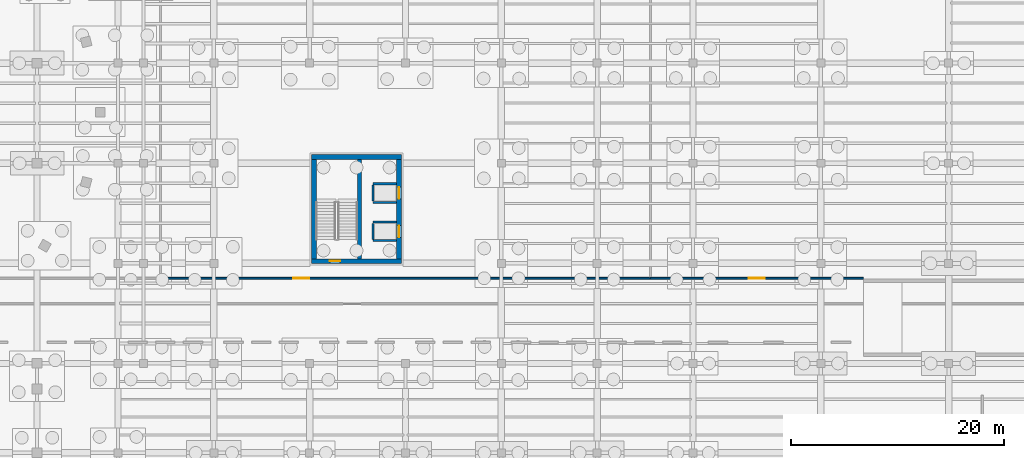
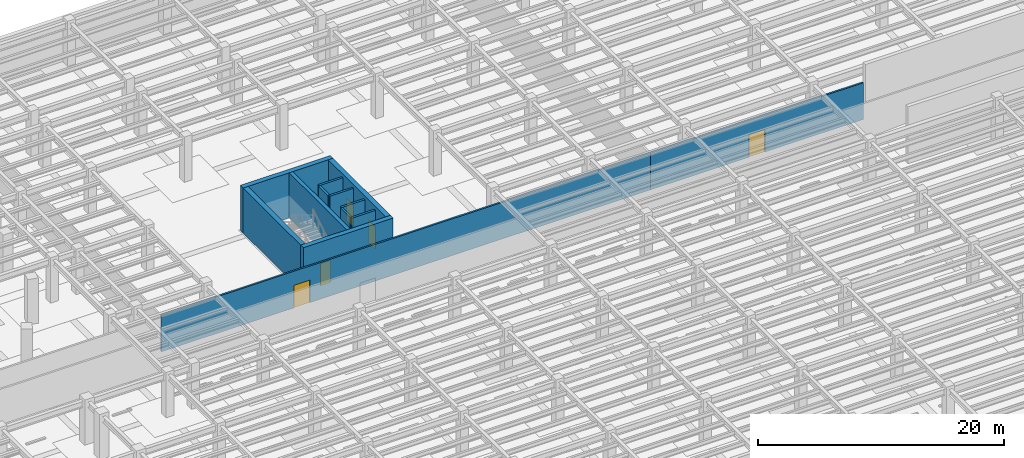
# One storey, part 38 of 49: 13 walls, 5 doors, 5 openings.
"""IFC4 building model written with IfcOpenShell, lengths in metres."""

from ifc_helpers import new_model, si_unit, direction, frame, frame_2d, origin, place, context, subcontext, project, spatial, rectangle, extrude, material, layer, layer_set, type_object, element, fill, save


model = new_model("IFC4")

# Units and contexts
model_context = context("Model", 3, precision=1e-05, world=origin(), true_north=direction((0.0, 1.0)))
body_context = subcontext(model_context, "Body", "Model", "MODEL_VIEW")
ifc_project = project(units=[si_unit("LENGTHUNIT", "METRE"), si_unit("AREAUNIT", "SQUARE_METRE"), si_unit("VOLUMEUNIT", "CUBIC_METRE"), si_unit("PLANEANGLEUNIT", "RADIAN"), si_unit("MASSUNIT", "GRAM", prefix="KILO")], contexts=[model_context])

# Site, building, storey
site_placement = place(None, origin())
site = spatial("IfcSite", under=ifc_project, at=site_placement, CompositionType="ELEMENT")
building_placement = place(site_placement, origin())
building = spatial("IfcBuilding", under=site, at=building_placement, Name="Sollismere Congress Hotel", CompositionType="ELEMENT")
storey_placement = place(building_placement, frame((0.0, 0.0, -4.5)))
storey = spatial("IfcBuildingStorey", under=building, at=storey_placement, Name="B1", CompositionType="ELEMENT", Elevation=-4.5)

# Walls
ifc_material_1 = material(Name="Moisture-Resistant Shaft Gypsum Assembly")
ifc_layer_1 = layer(ifc_material_1, 0.199951171875, Name="Moisture-Resistant Shaft Gypsum Assembly")
ifc_layer_set_1 = layer_set([ifc_layer_1], Name="Moisture-Resistant Shaft Gypsum Assembly")
wall_type_1 = type_object("IfcWallType", Name="WL-PLM200", PredefinedType="PLUMBINGWALL", material=ifc_layer_set_1)
for number, where, z_axis, x_axis, name in (
    (1, (81.955078125, 78.330078125, 0.0), (0.0, 0.0, 1.0), (1.0, 0.0, 0.0), "Interior wall IW-B1-0565"),
    (2, (81.955078125, 80.070068359375, 0.0), (0.0, 0.0, 1.0), (1.0, 0.0, 0.0), "Interior wall IW-B1-0566"),
):
    element("IfcWall", number, at=place(storey_placement, frame(where, z_axis=z_axis, x_axis=x_axis)), inside=storey, type_object=wall_type_1, Name=name, PredefinedType="PLUMBINGWALL", context=body_context, shape_type="SweptSolid", body=[
        extrude(rectangle(XDim=2.2080078125, YDim=0.199951171875, at=frame_2d((1.10400390625, 0.0))), origin(), (0.0, 0.0, 1.0), 4.175048828125),
    ])
wall_1_placement = place(storey_placement, frame((81.955078125, 78.44189453125, 0.0), z_axis=(0.0, 0.0, 1.0), x_axis=(0.0, 1.0, 0.0)))
element("IfcWall", 3, at=wall_1_placement, inside=storey, type_object=wall_type_1, Name="Interior wall IW-B1-0567", PredefinedType="PLUMBINGWALL", context=body_context, shape_type="SweptSolid", body=[
    extrude(rectangle(XDim=1.51611328125, YDim=0.199951171875, at=frame_2d((0.758056640625, 0.0))), origin(), (0.0, 0.0, 1.0), 4.175048828125),
])
for number, where, z_axis, x_axis, name in (
    (4, (81.955078125, 81.929931640625, 0.0), (0.0, 0.0, 1.0), (1.0, 0.0, 0.0), "Interior wall IW-B1-0568"),
    (5, (81.955078125, 83.669921875, 0.0), (0.0, 0.0, 1.0), (1.0, 0.0, 0.0), "Interior wall IW-B1-0569"),
):
    element("IfcWall", number, at=place(storey_placement, frame(where, z_axis=z_axis, x_axis=x_axis)), inside=storey, type_object=wall_type_1, Name=name, PredefinedType="PLUMBINGWALL", context=body_context, shape_type="SweptSolid", body=[
        extrude(rectangle(XDim=2.2080078125, YDim=0.199951171875, at=frame_2d((1.10400390625, 0.0))), origin(), (0.0, 0.0, 1.0), 4.175048828125),
    ])
wall_2_placement = place(storey_placement, frame((81.955078125, 82.0419921875, 0.0), z_axis=(0.0, 0.0, 1.0), x_axis=(0.0, 1.0, 0.0)))
element("IfcWall", 6, at=wall_2_placement, inside=storey, type_object=wall_type_1, Name="Interior wall IW-B1-0570", PredefinedType="PLUMBINGWALL", context=body_context, shape_type="SweptSolid", body=[
    extrude(rectangle(XDim=1.51611328125, YDim=0.199951171875, at=frame_2d((0.758056640625, 0.0))), origin(), (0.0, 0.0, 1.0), 4.175048828125),
])

# Wall, opening, door
ifc_material_2 = material(Name="Fire-Rated Acoustic Gypsum Partition")
ifc_layer_2 = layer(ifc_material_2, 0.1650390625, Name="Fire-Rated Acoustic Gypsum Partition")
ifc_layer_set_2 = layer_set([ifc_layer_2], Name="Fire-Rated Acoustic Gypsum Partition")
wall_type_2 = type_object("IfcWallType", Name="WL-PRT165R", PredefinedType="PARTITIONING", material=ifc_layer_set_2)
wall_3_placement = place(storey_placement, frame((62.0, 74.800048828125, 0.0), z_axis=(0.0, 0.0, 1.0), x_axis=(1.0, 0.0, 0.0)))
wall_3 = element("IfcWall", 7, at=wall_3_placement, inside=storey, type_object=wall_type_2, Name="Interior wall IW-B1-0762", PredefinedType="PARTITIONING", context=body_context, shape_type="SweptSolid", body=[
    extrude(rectangle(XDim=46.0, YDim=0.1650390625, at=frame_2d((23.0, 0.0))), origin(), (0.0, 0.0, 1.0), 3.64892578125),
])
opening_1_placement = place(wall_3_placement, frame((12.449951171875, 0.0, 0.0)))
opening_1 = element("IfcOpeningElement", 8, at=opening_1_placement, cuts=wall_3, Name="Opening D-B1-0253", PredefinedType="OPENING", context=body_context, shape_type="SweptSolid", body=[
    extrude(rectangle(XDim=1.5, YDim=2.25, at=frame_2d((0.75, 1.125))), frame((0.0, 0.092529296875, 0.0), z_axis=(0.0, -1.0, 0.0), x_axis=(1.0, 0.0, 0.0)), (0.0, 0.0, 1.0), 0.18505859375),
])
ifc_material_3 = material(Name="Fire-Rated Double Plant Room Door")
door_type_1 = type_object("IfcDoorType", Name="DR-PL150", OperationType="NOTDEFINED", PredefinedType="DOOR", material=ifc_material_3)
door_1_placement = place(opening_1_placement, origin())
door_1 = element("IfcDoor", 9, at=door_1_placement, inside=storey, type_object=door_type_1, Name="Interior door D-B1-0253", OperationType="DOUBLE_DOOR_SINGLE_SWING", OverallHeight=2.25, OverallWidth=1.5, PredefinedType="DOOR", context=body_context, shape_type="SweptSolid", body=[
    extrude(rectangle(XDim=1.5, YDim=2.25, at=frame_2d((0.75, 1.125))), frame((0.0, 0.02490234375, 0.0), z_axis=(0.0, -1.0, 0.0), x_axis=(1.0, 0.0, 0.0)), (0.0, 0.0, 1.0), 0.050048828125),
])
fill(opening_1, door_1)

wall_4_placement = place(storey_placement, frame((108.0, 74.800048828125, 0.0), z_axis=(0.0, 0.0, 1.0), x_axis=(1.0, 0.0, 0.0)))
wall_4 = element("IfcWall", 10, at=wall_4_placement, inside=storey, type_object=wall_type_2, Name="Interior wall IW-B1-0763", PredefinedType="PARTITIONING", context=body_context, shape_type="SweptSolid", body=[
    extrude(rectangle(XDim=20.0, YDim=0.1650390625, at=frame_2d((10.0, 0.0))), origin(), (0.0, 0.0, 1.0), 3.64892578125),
])
opening_2_placement = place(wall_4_placement, frame((9.25, 0.0, 0.0)))
opening_2 = element("IfcOpeningElement", 11, at=opening_2_placement, cuts=wall_4, Name="Opening D-B1-0254", PredefinedType="OPENING", context=body_context, shape_type="SweptSolid", body=[
    extrude(rectangle(XDim=1.5, YDim=2.25, at=frame_2d((0.75, 1.125))), frame((0.0, 0.092529296875, 0.0), z_axis=(0.0, -1.0, 0.0), x_axis=(1.0, 0.0, 0.0)), (0.0, 0.0, 1.0), 0.18505859375),
])
door_2_placement = place(opening_2_placement, origin())
door_2 = element("IfcDoor", 12, at=door_2_placement, inside=storey, type_object=door_type_1, Name="Interior door D-B1-0254", OperationType="DOUBLE_DOOR_SINGLE_SWING", OverallHeight=2.25, OverallWidth=1.5, PredefinedType="DOOR", context=body_context, shape_type="SweptSolid", body=[
    extrude(rectangle(XDim=1.5, YDim=2.25, at=frame_2d((0.75, 1.125))), frame((0.0, 0.02490234375, 0.0), z_axis=(0.0, -1.0, 0.0), x_axis=(1.0, 0.0, 0.0)), (0.0, 0.0, 1.0), 0.050048828125),
])
fill(opening_2, door_2)

# Wall
ifc_material_4 = material(Name="Concrete C50/60", Category="concrete")
ifc_layer_3 = layer(ifc_material_4, 0.35009765625, Name="Concrete C50/60")
ifc_layer_set_3 = layer_set([ifc_layer_3], Name="Concrete C50/60")
wall_type_3 = type_object("IfcWallType", Name="WL-SHR350", PredefinedType="SHEAR", material=ifc_layer_set_3)
wall_5_placement = place(storey_placement, frame((80.675048828125, 76.625, 0.0), z_axis=(0.0, 0.0, 1.0), x_axis=(0.0, 1.0, 0.0)))
element("IfcWall", 13, at=wall_5_placement, inside=storey, type_object=wall_type_3, Name="Interior wall IW-B1-0564", PredefinedType="SHEAR", context=body_context, shape_type="SweptSolid", body=[
    extrude(rectangle(XDim=9.35009765625, YDim=0.35009765625, at=frame_2d((4.675048828125, 0.0))), origin(), (0.0, 0.0, 1.0), 4.5),
])

# Wall, opening, door
ifc_layer_4 = layer(ifc_material_4, 0.449951171875, Name="Concrete C50/60")
ifc_layer_set_4 = layer_set([ifc_layer_4], Name="Concrete C50/60")
wall_type_4 = type_object("IfcWallType", Name="WL-SHR450", PredefinedType="SHEAR", material=ifc_layer_set_4)
wall_6_placement = place(storey_placement, frame((76.175048828125, 76.39990234375, 0.0), z_axis=(0.0, 0.0, 1.0), x_axis=(1.0, 0.0, 0.0)))
wall_6 = element("IfcWall", 14, at=wall_6_placement, inside=storey, type_object=wall_type_4, Name="Interior wall IW-B1-0560", PredefinedType="SHEAR", context=body_context, shape_type="SweptSolid", body=[
    extrude(rectangle(XDim=8.449951171875, YDim=0.449951171875, at=frame_2d((4.22509765625, 0.0))), origin(), (0.0, 0.0, 1.0), 4.5),
])
opening_3_placement = place(wall_6_placement, frame((1.72509765625, 0.0, 0.0)))
opening_3 = element("IfcOpeningElement", 15, at=opening_3_placement, cuts=wall_6, Name="Opening D-ST-04-B1", PredefinedType="OPENING", context=body_context, shape_type="SweptSolid", body=[
    extrude(rectangle(XDim=0.949951171875, YDim=2.199951171875, at=frame_2d((0.47509765625, 1.10009765625))), frame((0.0, 0.23486328125, 0.0), z_axis=(0.0, -1.0, 0.0), x_axis=(1.0, 0.0, 0.0)), (0.0, 0.0, 1.0), 0.469970703125),
])
ifc_material_5 = material(Name="Fire-Rated Insulated Steel Door", Category="steel")
door_type_2 = type_object("IfcDoorType", Name="DR-FD90", OperationType="NOTDEFINED", PredefinedType="DOOR", material=ifc_material_5)
door_3_placement = place(opening_3_placement, origin())
door_3 = element("IfcDoor", 16, at=door_3_placement, inside=storey, type_object=door_type_2, Name="Exit stair fire door D-ST-04-B1", OperationType="SINGLE_SWING_RIGHT", OverallHeight=2.199951171875, OverallWidth=0.949951171875, PredefinedType="DOOR", context=body_context, shape_type="SweptSolid", body=[
    extrude(rectangle(XDim=0.949951171875, YDim=2.199951171875, at=frame_2d((0.47509765625, 1.10009765625))), frame((0.0, 0.02490234375, 0.0), z_axis=(0.0, -1.0, 0.0), x_axis=(1.0, 0.0, 0.0)), (0.0, 0.0, 1.0), 0.050048828125),
])
fill(opening_3, door_3)

# Walls
wall_7_placement = place(storey_placement, frame((84.625, 86.199951171875, 0.0), z_axis=(0.0, 0.0, 1.0), x_axis=(-1.0, 0.0, 0.0)))
element("IfcWall", 17, at=wall_7_placement, inside=storey, type_object=wall_type_4, Name="Interior wall IW-B1-0561", PredefinedType="SHEAR", context=body_context, shape_type="SweptSolid", body=[
    extrude(rectangle(XDim=8.449951171875, YDim=0.449951171875, at=frame_2d((4.22509765625, 0.0))), origin(), (0.0, 0.0, 1.0), 4.5),
])
wall_8_placement = place(storey_placement, frame((76.39990234375, 85.97509765625, 0.0), z_axis=(0.0, 0.0, 1.0), x_axis=(0.0, -1.0, 0.0)))
element("IfcWall", 18, at=wall_8_placement, inside=storey, type_object=wall_type_4, Name="Interior wall IW-B1-0562", PredefinedType="SHEAR", context=body_context, shape_type="SweptSolid", body=[
    extrude(rectangle(XDim=9.35009765625, YDim=0.449951171875, at=frame_2d((4.675048828125, 0.0))), origin(), (0.0, 0.0, 1.0), 4.5),
])

# Wall, openings, doors
wall_9_placement = place(storey_placement, frame((84.39990234375, 76.625, 0.0), z_axis=(0.0, 0.0, 1.0), x_axis=(0.0, 1.0, 0.0)))
wall_9 = element("IfcWall", 19, at=wall_9_placement, inside=storey, type_object=wall_type_4, Name="Interior wall IW-B1-0563", PredefinedType="SHEAR", context=body_context, shape_type="SweptSolid", body=[
    extrude(rectangle(XDim=9.35009765625, YDim=0.449951171875, at=frame_2d((4.675048828125, 0.0))), origin(), (0.0, 0.0, 1.0), 4.5),
])
opening_4_placement = place(wall_9_placement, frame((2.02490234375, 0.0, 0.0)))
opening_4 = element("IfcOpeningElement", 20, at=opening_4_placement, cuts=wall_9, Name="Opening LD-LP-07-B1", PredefinedType="OPENING", context=body_context, shape_type="SweptSolid", body=[
    extrude(rectangle(XDim=1.10009765625, YDim=2.199951171875, at=frame_2d((0.550048828125, 1.10009765625))), frame((0.0, 0.23486328125, 0.0), z_axis=(0.0, -1.0, 0.0), x_axis=(1.0, 0.0, 0.0)), (0.0, 0.0, 1.0), 0.469970703125),
])
opening_5_placement = place(wall_9_placement, frame((5.625, 0.0, 0.0)))
opening_5 = element("IfcOpeningElement", 21, at=opening_5_placement, cuts=wall_9, Name="Opening LD-LP-08-B1", PredefinedType="OPENING", context=body_context, shape_type="SweptSolid", body=[
    extrude(rectangle(XDim=1.10009765625, YDim=2.199951171875, at=frame_2d((0.550048828125, 1.10009765625))), frame((0.0, 0.23486328125, 0.0), z_axis=(0.0, -1.0, 0.0), x_axis=(1.0, 0.0, 0.0)), (0.0, 0.0, 1.0), 0.469970703125),
])
ifc_material_6 = material(Name="Brushed Bronze Sliding Elevator Landing Door")
door_type_3 = type_object("IfcDoorType", Name="DR-LD110", OperationType="NOTDEFINED", PredefinedType="DOOR", material=ifc_material_6)
door_4_placement = place(opening_4_placement, origin())
door_4 = element("IfcDoor", 22, at=door_4_placement, inside=storey, type_object=door_type_3, Name="Elevator landing door LD-LP-07-B1", OperationType="SLIDING_TO_LEFT", OverallHeight=2.199951171875, OverallWidth=1.10009765625, PredefinedType="DOOR", context=body_context, shape_type="SweptSolid", body=[
    extrude(rectangle(XDim=1.10009765625, YDim=2.199951171875, at=frame_2d((0.550048828125, 1.10009765625))), frame((0.0, 0.02490234375, 0.0), z_axis=(0.0, -1.0, 0.0), x_axis=(1.0, 0.0, 0.0)), (0.0, 0.0, 1.0), 0.050048828125),
])
fill(opening_4, door_4)
door_5_placement = place(opening_5_placement, origin())
door_5 = element("IfcDoor", 23, at=door_5_placement, inside=storey, type_object=door_type_3, Name="Elevator landing door LD-LP-08-B1", OperationType="SLIDING_TO_RIGHT", OverallHeight=2.199951171875, OverallWidth=1.10009765625, PredefinedType="DOOR", context=body_context, shape_type="SweptSolid", body=[
    extrude(rectangle(XDim=1.10009765625, YDim=2.199951171875, at=frame_2d((0.550048828125, 1.10009765625))), frame((0.0, 0.02490234375, 0.0), z_axis=(0.0, -1.0, 0.0), x_axis=(1.0, 0.0, 0.0)), (0.0, 0.0, 1.0), 0.050048828125),
])
fill(opening_5, door_5)

save(model, "model.ifc")
